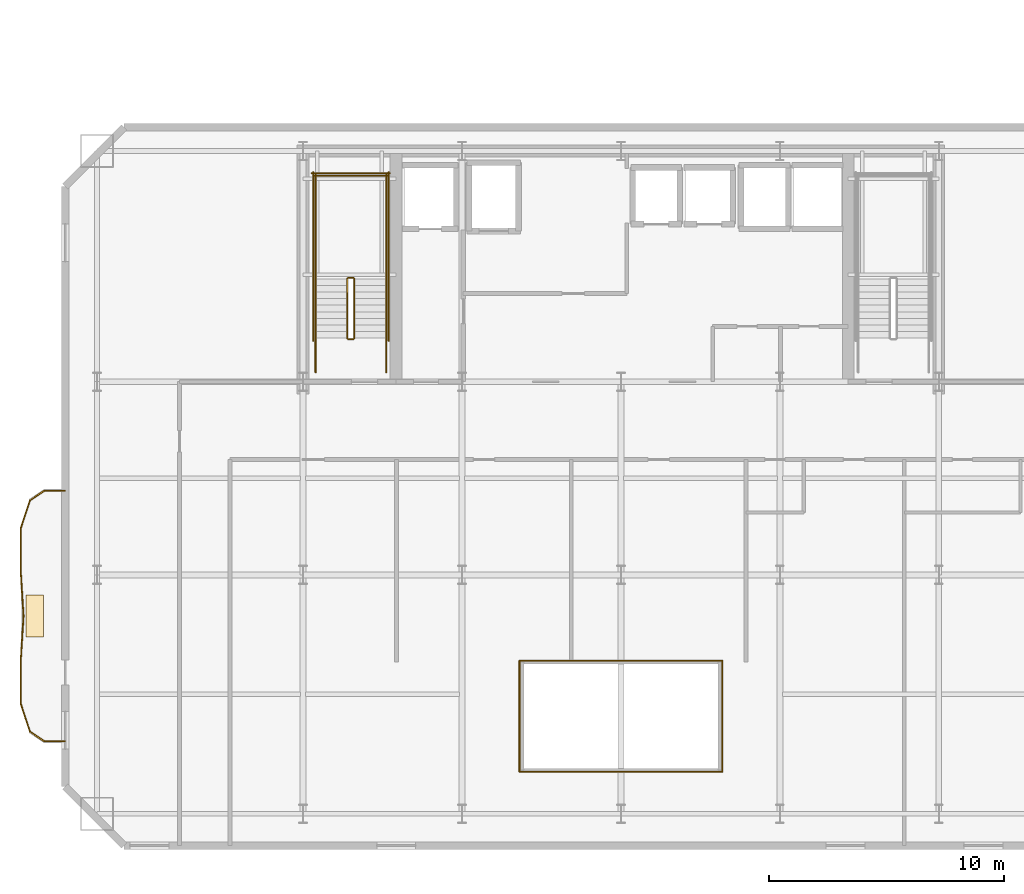
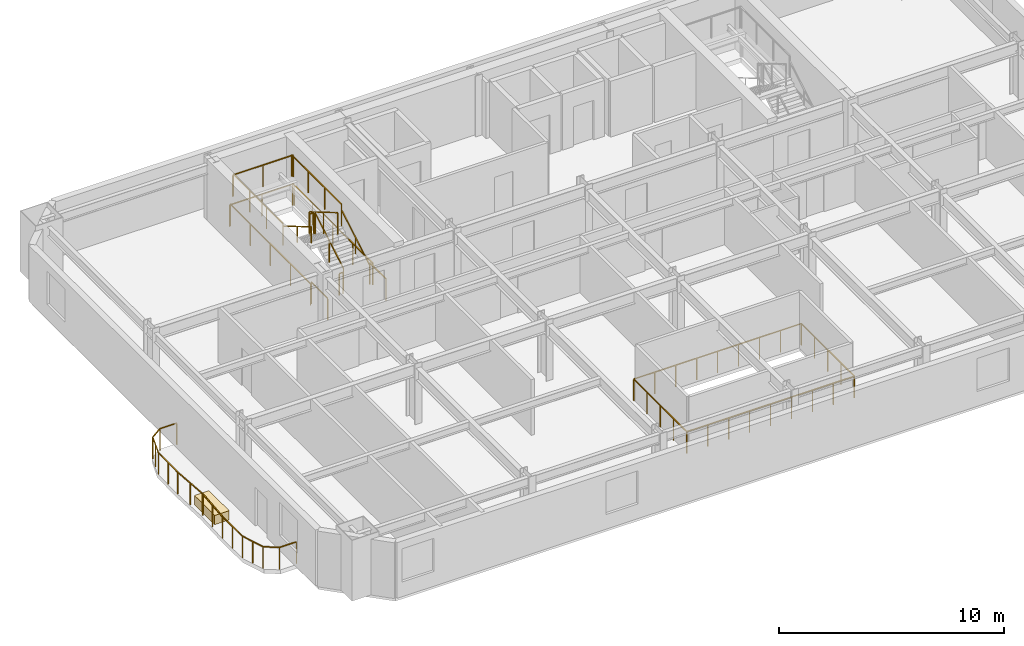
# One storey, part 10 of 13: 28 railings, 1 covering.
"""IFC4 building model written with IfcOpenShell, lengths in metres."""

from ifc_helpers import new_model, si_unit, direction, frame, origin, origin_2d, place, context, subcontext, project, spatial, rectangle, extrude, material, layer, layer_set, type_object, element, save


model = new_model("IFC4")

# Units and contexts
model_context = context("Model", 3, precision=1e-05, world=origin(), true_north=direction((0.0, 1.0)))
body_context = subcontext(model_context, "Body", "Model", "MODEL_VIEW")
ifc_project = project(units=[si_unit("LENGTHUNIT", "METRE"), si_unit("AREAUNIT", "SQUARE_METRE"), si_unit("VOLUMEUNIT", "CUBIC_METRE"), si_unit("PLANEANGLEUNIT", "RADIAN"), si_unit("MASSUNIT", "GRAM", prefix="KILO")], contexts=[model_context])

# Site, building, storey
site_placement = place(None, origin())
site = spatial("IfcSite", under=ifc_project, at=site_placement, CompositionType="ELEMENT")
building_placement = place(site_placement, origin())
building = spatial("IfcBuilding", under=site, at=building_placement, Name="Haevon Station Towers", CompositionType="ELEMENT")
storey_placement = place(building_placement, frame((0.0, 0.0, 99.89990234375)))
storey = spatial("IfcBuildingStorey", under=building, at=storey_placement, Name="L26", CompositionType="ELEMENT", Elevation=99.89990234375)

# Railings
ifc_material_1 = material(Name="Steel S355", Category="steel")
railing_type_1 = type_object("IfcRailingType", Name="BAL-ATR1200", PredefinedType="BALUSTRADE", material=ifc_material_1)
railing_1_placement = place(storey_placement, frame((33.19482421875, 21.642333984375, 0.0)))
element("IfcRailing", 1, at=railing_1_placement, inside=storey, type_object=railing_type_1, Name="L26 Atrium Void Balustrade 1", PredefinedType="BALUSTRADE", context=body_context, shape_type="SweptSolid", body=[
    extrude(rectangle(XDim=0.048095703125, YDim=0.048095703125, at=origin_2d()), frame((0.0, 0.0, 1.17578125), z_axis=(1.0, 0.0, 0.0), x_axis=(0.0, 1.0, 0.0)), (0.0, 0.0, 1.0), 8.6103515625),
    extrude(rectangle(XDim=0.0419921875, YDim=0.0419921875, at=origin_2d()), origin(), (0.0, 0.0, 1.0), 1.15185546875),
    extrude(rectangle(XDim=0.0419921875, YDim=0.0419921875, at=origin_2d()), frame((1.076171875, 0.0, 0.0)), (0.0, 0.0, 1.0), 1.15185546875),
    extrude(rectangle(XDim=0.0419921875, YDim=0.0419921875, at=origin_2d()), frame((2.152587890625, 0.0, 0.0)), (0.0, 0.0, 1.0), 1.15185546875),
    extrude(rectangle(XDim=0.0419921875, YDim=0.0419921875, at=origin_2d()), frame((3.22900390625, 0.0, 0.0)), (0.0, 0.0, 1.0), 1.15185546875),
    extrude(rectangle(XDim=0.0419921875, YDim=0.0419921875, at=origin_2d()), frame((4.30517578125, 0.0, 0.0)), (0.0, 0.0, 1.0), 1.15185546875),
    extrude(rectangle(XDim=0.0419921875, YDim=0.0419921875, at=origin_2d()), frame((5.38134765625, 0.0, 0.0)), (0.0, 0.0, 1.0), 1.15185546875),
    extrude(rectangle(XDim=0.0419921875, YDim=0.0419921875, at=origin_2d()), frame((6.457763671875, 0.0, 0.0)), (0.0, 0.0, 1.0), 1.15185546875),
    extrude(rectangle(XDim=0.0419921875, YDim=0.0419921875, at=origin_2d()), frame((7.5341796875, 0.0, 0.0)), (0.0, 0.0, 1.0), 1.15185546875),
    extrude(rectangle(XDim=0.0419921875, YDim=0.0419921875, at=origin_2d()), frame((8.6103515625, 0.0, 0.0)), (0.0, 0.0, 1.0), 1.15185546875),
])
railing_2_placement = place(storey_placement, frame((41.80517578125, 21.642333984375, 0.0)))
element("IfcRailing", 2, at=railing_2_placement, inside=storey, type_object=railing_type_1, Name="L26 Atrium Void Balustrade 2", PredefinedType="BALUSTRADE", context=body_context, shape_type="SweptSolid", body=[
    extrude(rectangle(XDim=0.048095703125, YDim=0.048095703125, at=origin_2d()), frame((0.0, 0.0, 1.17578125), z_axis=(0.0, 1.0, 0.0), x_axis=(-1.0, 0.0, 0.0)), (0.0, 0.0, 1.0), 4.71533203125),
    extrude(rectangle(XDim=0.0419921875, YDim=0.0419921875, at=origin_2d()), origin(), (0.0, 0.0, 1.0), 1.15185546875),
    extrude(rectangle(XDim=0.0419921875, YDim=0.0419921875, at=origin_2d()), frame((0.0, 1.1787109375, 0.0)), (0.0, 0.0, 1.0), 1.15185546875),
    extrude(rectangle(XDim=0.0419921875, YDim=0.0419921875, at=origin_2d()), frame((0.0, 2.357666015625, 0.0)), (0.0, 0.0, 1.0), 1.15185546875),
    extrude(rectangle(XDim=0.0419921875, YDim=0.0419921875, at=origin_2d()), frame((0.0, 3.53662109375, 0.0)), (0.0, 0.0, 1.0), 1.15185546875),
    extrude(rectangle(XDim=0.0419921875, YDim=0.0419921875, at=origin_2d()), frame((0.0, 4.71533203125, 0.0)), (0.0, 0.0, 1.0), 1.15185546875),
])
railing_3_placement = place(storey_placement, frame((41.80517578125, 26.357666015625, 0.0)))
element("IfcRailing", 3, at=railing_3_placement, inside=storey, type_object=railing_type_1, Name="L26 Atrium Void Balustrade 3", PredefinedType="BALUSTRADE", context=body_context, shape_type="SweptSolid", body=[
    extrude(rectangle(XDim=0.048095703125, YDim=0.048095703125, at=origin_2d()), frame((0.0, 0.0, 1.17578125), z_axis=(-1.0, 0.0, 0.0), x_axis=(0.0, -1.0, 0.0)), (0.0, 0.0, 1.0), 8.6103515625),
    extrude(rectangle(XDim=0.0419921875, YDim=0.0419921875, at=origin_2d()), origin(), (0.0, 0.0, 1.0), 1.15185546875),
    extrude(rectangle(XDim=0.0419921875, YDim=0.0419921875, at=origin_2d()), frame((-1.076171875, 0.0, 0.0)), (0.0, 0.0, 1.0), 1.15185546875),
    extrude(rectangle(XDim=0.0419921875, YDim=0.0419921875, at=origin_2d()), frame((-2.152587890625, 0.0, 0.0)), (0.0, 0.0, 1.0), 1.15185546875),
    extrude(rectangle(XDim=0.0419921875, YDim=0.0419921875, at=origin_2d()), frame((-3.22900390625, 0.0, 0.0)), (0.0, 0.0, 1.0), 1.15185546875),
    extrude(rectangle(XDim=0.0419921875, YDim=0.0419921875, at=origin_2d()), frame((-4.30517578125, 0.0, 0.0)), (0.0, 0.0, 1.0), 1.15185546875),
    extrude(rectangle(XDim=0.0419921875, YDim=0.0419921875, at=origin_2d()), frame((-5.38134765625, 0.0, 0.0)), (0.0, 0.0, 1.0), 1.15185546875),
    extrude(rectangle(XDim=0.0419921875, YDim=0.0419921875, at=origin_2d()), frame((-6.457763671875, 0.0, 0.0)), (0.0, 0.0, 1.0), 1.15185546875),
    extrude(rectangle(XDim=0.0419921875, YDim=0.0419921875, at=origin_2d()), frame((-7.5341796875, 0.0, 0.0)), (0.0, 0.0, 1.0), 1.15185546875),
    extrude(rectangle(XDim=0.0419921875, YDim=0.0419921875, at=origin_2d()), frame((-8.6103515625, 0.0, 0.0)), (0.0, 0.0, 1.0), 1.15185546875),
])
railing_4_placement = place(storey_placement, frame((33.19482421875, 26.357666015625, 0.0)))
element("IfcRailing", 4, at=railing_4_placement, inside=storey, type_object=railing_type_1, Name="L26 Atrium Void Balustrade 4", PredefinedType="BALUSTRADE", context=body_context, shape_type="SweptSolid", body=[
    extrude(rectangle(XDim=0.048095703125, YDim=0.048095703125, at=origin_2d()), frame((0.0, 0.0, 1.17578125), z_axis=(0.0, -1.0, 0.0), x_axis=(1.0, 0.0, 0.0)), (0.0, 0.0, 1.0), 4.71533203125),
    extrude(rectangle(XDim=0.0419921875, YDim=0.0419921875, at=origin_2d()), origin(), (0.0, 0.0, 1.0), 1.15185546875),
    extrude(rectangle(XDim=0.0419921875, YDim=0.0419921875, at=origin_2d()), frame((0.0, -1.1787109375, 0.0)), (0.0, 0.0, 1.0), 1.15185546875),
    extrude(rectangle(XDim=0.0419921875, YDim=0.0419921875, at=origin_2d()), frame((0.0, -2.357666015625, 0.0)), (0.0, 0.0, 1.0), 1.15185546875),
    extrude(rectangle(XDim=0.0419921875, YDim=0.0419921875, at=origin_2d()), frame((0.0, -3.53662109375, 0.0)), (0.0, 0.0, 1.0), 1.15185546875),
    extrude(rectangle(XDim=0.0419921875, YDim=0.0419921875, at=origin_2d()), frame((0.0, -4.71533203125, 0.0)), (0.0, 0.0, 1.0), 1.15185546875),
])
railing_type_2 = type_object("IfcRailingType", Name="GRD-EXT1200", PredefinedType="GUARDRAIL", material=ifc_material_1)
railing_5_placement = place(storey_placement, frame((13.87646484375, 33.572265625, 0.0)))
element("IfcRailing", 5, at=railing_5_placement, inside=storey, type_object=railing_type_2, Name="L26 Perimeter Guardrail 1", PredefinedType="GUARDRAIL", context=body_context, shape_type="SweptSolid", body=[
    extrude(rectangle(XDim=0.048095703125, YDim=0.048095703125, at=origin_2d()), frame((0.0, 0.0, 1.17578125), z_axis=(-0.99999747791, -0.002245923589, 0.0), x_axis=(0.002245923589, -0.99999747791, 0.0)), (0.0, 0.0, 1.0), 0.86962890625),
    extrude(rectangle(XDim=0.0419921875, YDim=0.0419921875, at=origin_2d()), origin(), (0.0, 0.0, 1.0), 1.15185546875),
    extrude(rectangle(XDim=0.0419921875, YDim=0.0419921875, at=origin_2d()), frame((-0.86962890625, -0.001953125, 0.0)), (0.0, 0.0, 1.0), 1.15185546875),
])
railing_6_placement = place(storey_placement, frame((13.0068359375, 33.5703125, 0.0)))
element("IfcRailing", 6, at=railing_6_placement, inside=storey, type_object=railing_type_2, Name="L26 Perimeter Guardrail 2", PredefinedType="GUARDRAIL", context=body_context, shape_type="SweptSolid", body=[
    extrude(rectangle(XDim=0.048095703125, YDim=0.048095703125, at=origin_2d()), frame((0.0, 0.0, 1.17578125), z_axis=(-0.827878799477, -0.56090702739, 0.0), x_axis=(0.56090702739, -0.827878799477, 0.0)), (0.0, 0.0, 1.0), 0.7333984375),
    extrude(rectangle(XDim=0.0419921875, YDim=0.0419921875, at=origin_2d()), origin(), (0.0, 0.0, 1.0), 1.15185546875),
    extrude(rectangle(XDim=0.0419921875, YDim=0.0419921875, at=origin_2d()), frame((-0.607177734375, -0.411376953125, 0.0)), (0.0, 0.0, 1.0), 1.15185546875),
])
railing_7_placement = place(storey_placement, frame((12.399658203125, 33.158935546875, 0.0)))
element("IfcRailing", 7, at=railing_7_placement, inside=storey, type_object=railing_type_2, Name="L26 Perimeter Guardrail 3", PredefinedType="GUARDRAIL", context=body_context, shape_type="SweptSolid", body=[
    extrude(rectangle(XDim=0.048095703125, YDim=0.048095703125, at=origin_2d()), frame((0.0, 0.0, 1.17578125), z_axis=(-0.312299013333, -0.949983855795, 0.0), x_axis=(0.949983855795, -0.312299013333, 0.0)), (0.0, 0.0, 1.0), 1.231201171875),
    extrude(rectangle(XDim=0.0419921875, YDim=0.0419921875, at=origin_2d()), origin(), (0.0, 0.0, 1.0), 1.15185546875),
    extrude(rectangle(XDim=0.0419921875, YDim=0.0419921875, at=origin_2d()), frame((-0.1923828125, -0.5849609375, 0.0)), (0.0, 0.0, 1.0), 1.15185546875),
    extrude(rectangle(XDim=0.0419921875, YDim=0.0419921875, at=origin_2d()), frame((-0.384521484375, -1.169677734375, 0.0)), (0.0, 0.0, 1.0), 1.15185546875),
])
railing_8_placement = place(storey_placement, frame((12.01513671875, 31.9892578125, 0.0)))
element("IfcRailing", 8, at=railing_8_placement, inside=storey, type_object=railing_type_2, Name="L26 Perimeter Guardrail 4", PredefinedType="GUARDRAIL", context=body_context, shape_type="SweptSolid", body=[
    extrude(rectangle(XDim=0.048095703125, YDim=0.048095703125, at=origin_2d()), frame((0.0, 0.0, 1.17578125), z_axis=(-0.006559523914, -0.999978486092, 0.0), x_axis=(0.999978486092, -0.006559523914, 0.0)), (0.0, 0.0, 1.0), 1.749267578125),
    extrude(rectangle(XDim=0.0419921875, YDim=0.0419921875, at=origin_2d()), origin(), (0.0, 0.0, 1.0), 1.15185546875),
    extrude(rectangle(XDim=0.0419921875, YDim=0.0419921875, at=origin_2d()), frame((-0.005859375, -0.87451171875, 0.0)), (0.0, 0.0, 1.0), 1.15185546875),
    extrude(rectangle(XDim=0.0419921875, YDim=0.0419921875, at=origin_2d()), frame((-0.011474609375, -1.749267578125, 0.0)), (0.0, 0.0, 1.0), 1.15185546875),
])
railing_9_placement = place(storey_placement, frame((12.003662109375, 30.239990234375, 0.0)))
element("IfcRailing", 9, at=railing_9_placement, inside=storey, type_object=railing_type_2, Name="L26 Perimeter Guardrail 5", PredefinedType="GUARDRAIL", context=body_context, shape_type="SweptSolid", body=[
    extrude(rectangle(XDim=0.048095703125, YDim=0.048095703125, at=origin_2d()), frame((0.0, 0.0, 1.17578125), z_axis=(0.06269082246, -0.998032995837, 0.0), x_axis=(0.998032995837, 0.06269082246, 0.0)), (0.0, 0.0, 1.0), 1.993896484375),
    extrude(rectangle(XDim=0.0419921875, YDim=0.0419921875, at=origin_2d()), origin(), (0.0, 0.0, 1.0), 1.15185546875),
    extrude(rectangle(XDim=0.0419921875, YDim=0.0419921875, at=origin_2d()), frame((0.0625, -0.9951171875, 0.0)), (0.0, 0.0, 1.0), 1.15185546875),
    extrude(rectangle(XDim=0.0419921875, YDim=0.0419921875, at=origin_2d()), frame((0.125, -1.989990234375, 0.0)), (0.0, 0.0, 1.0), 1.15185546875),
])
railing_10_placement = place(storey_placement, frame((12.128662109375, 28.25, 0.0)))
element("IfcRailing", 10, at=railing_10_placement, inside=storey, type_object=railing_type_2, Name="L26 Perimeter Guardrail 6", PredefinedType="GUARDRAIL", context=body_context, shape_type="SweptSolid", body=[
    extrude(rectangle(XDim=0.048095703125, YDim=0.048095703125, at=origin_2d()), frame((0.0, 0.0, 1.17578125), z_axis=(-0.06269082246, -0.998032995837, 0.0), x_axis=(0.998032995837, -0.06269082246, 0.0)), (0.0, 0.0, 1.0), 1.993896484375),
    extrude(rectangle(XDim=0.0419921875, YDim=0.0419921875, at=origin_2d()), origin(), (0.0, 0.0, 1.0), 1.15185546875),
    extrude(rectangle(XDim=0.0419921875, YDim=0.0419921875, at=origin_2d()), frame((-0.0625, -0.9951171875, 0.0)), (0.0, 0.0, 1.0), 1.15185546875),
    extrude(rectangle(XDim=0.0419921875, YDim=0.0419921875, at=origin_2d()), frame((-0.125, -1.989990234375, 0.0)), (0.0, 0.0, 1.0), 1.15185546875),
])
railing_11_placement = place(storey_placement, frame((12.003662109375, 26.260009765625, 0.0)))
element("IfcRailing", 11, at=railing_11_placement, inside=storey, type_object=railing_type_2, Name="L26 Perimeter Guardrail 7", PredefinedType="GUARDRAIL", context=body_context, shape_type="SweptSolid", body=[
    extrude(rectangle(XDim=0.048095703125, YDim=0.048095703125, at=origin_2d()), frame((0.0, 0.0, 1.17578125), z_axis=(0.006559523914, -0.999978486092, 0.0), x_axis=(0.999978486092, 0.006559523914, 0.0)), (0.0, 0.0, 1.0), 1.749267578125),
    extrude(rectangle(XDim=0.0419921875, YDim=0.0419921875, at=origin_2d()), origin(), (0.0, 0.0, 1.0), 1.15185546875),
    extrude(rectangle(XDim=0.0419921875, YDim=0.0419921875, at=origin_2d()), frame((0.005859375, -0.87451171875, 0.0)), (0.0, 0.0, 1.0), 1.15185546875),
    extrude(rectangle(XDim=0.0419921875, YDim=0.0419921875, at=origin_2d()), frame((0.011474609375, -1.749267578125, 0.0)), (0.0, 0.0, 1.0), 1.15185546875),
])
railing_12_placement = place(storey_placement, frame((12.01513671875, 24.5107421875, 0.0)))
element("IfcRailing", 12, at=railing_12_placement, inside=storey, type_object=railing_type_2, Name="L26 Perimeter Guardrail 8", PredefinedType="GUARDRAIL", context=body_context, shape_type="SweptSolid", body=[
    extrude(rectangle(XDim=0.048095703125, YDim=0.048095703125, at=origin_2d()), frame((0.0, 0.0, 1.17578125), z_axis=(0.312299013333, -0.949983855795, 0.0), x_axis=(0.949983855795, 0.312299013333, 0.0)), (0.0, 0.0, 1.0), 1.231201171875),
    extrude(rectangle(XDim=0.0419921875, YDim=0.0419921875, at=origin_2d()), origin(), (0.0, 0.0, 1.0), 1.15185546875),
    extrude(rectangle(XDim=0.0419921875, YDim=0.0419921875, at=origin_2d()), frame((0.1923828125, -0.5849609375, 0.0)), (0.0, 0.0, 1.0), 1.15185546875),
    extrude(rectangle(XDim=0.0419921875, YDim=0.0419921875, at=origin_2d()), frame((0.384521484375, -1.169677734375, 0.0)), (0.0, 0.0, 1.0), 1.15185546875),
])
railing_13_placement = place(storey_placement, frame((12.399658203125, 23.341064453125, 0.0)))
element("IfcRailing", 13, at=railing_13_placement, inside=storey, type_object=railing_type_2, Name="L26 Perimeter Guardrail 9", PredefinedType="GUARDRAIL", context=body_context, shape_type="SweptSolid", body=[
    extrude(rectangle(XDim=0.048095703125, YDim=0.048095703125, at=origin_2d()), frame((0.0, 0.0, 1.17578125), z_axis=(0.827878799477, -0.56090702739, 0.0), x_axis=(0.56090702739, 0.827878799477, 0.0)), (0.0, 0.0, 1.0), 0.7333984375),
    extrude(rectangle(XDim=0.0419921875, YDim=0.0419921875, at=origin_2d()), origin(), (0.0, 0.0, 1.0), 1.15185546875),
    extrude(rectangle(XDim=0.0419921875, YDim=0.0419921875, at=origin_2d()), frame((0.607177734375, -0.411376953125, 0.0)), (0.0, 0.0, 1.0), 1.15185546875),
])
railing_14_placement = place(storey_placement, frame((13.0068359375, 22.9296875, 0.0)))
element("IfcRailing", 14, at=railing_14_placement, inside=storey, type_object=railing_type_2, Name="L26 Perimeter Guardrail 10", PredefinedType="GUARDRAIL", context=body_context, shape_type="SweptSolid", body=[
    extrude(rectangle(XDim=0.048095703125, YDim=0.048095703125, at=origin_2d()), frame((0.0, 0.0, 1.17578125), z_axis=(0.99999747791, -0.002245923589, 0.0), x_axis=(0.002245923589, 0.99999747791, 0.0)), (0.0, 0.0, 1.0), 0.86962890625),
    extrude(rectangle(XDim=0.0419921875, YDim=0.0419921875, at=origin_2d()), origin(), (0.0, 0.0, 1.0), 1.15185546875),
    extrude(rectangle(XDim=0.0419921875, YDim=0.0419921875, at=origin_2d()), frame((0.86962890625, -0.001953125, 0.0)), (0.0, 0.0, 1.0), 1.15185546875),
])
railing_type_3 = type_object("IfcRailingType", Name="GRD-STR1200", PredefinedType="GUARDRAIL", material=ifc_material_1)
railing_15_placement = place(storey_placement, frame((26.179931640625, 40.050048828125, 0.1650390625)))
element("IfcRailing", 15, at=railing_15_placement, inside=storey, type_object=railing_type_3, Name="L26 ST1 Stair Guard 1", PredefinedType="GUARDRAIL", context=body_context, shape_type="SweptSolid", body=[
    extrude(rectangle(XDim=0.048095703125, YDim=0.048095703125, at=origin_2d()), frame((0.0, 0.0, 1.17578125), z_axis=(0.0, 0.86152411907, 0.507716645641), x_axis=(-1.0, 0.0, 0.0)), (0.0, 0.0, 1.0), 2.925048828125),
    extrude(rectangle(XDim=0.0419921875, YDim=0.0419921875, at=origin_2d()), origin(), (0.0, 0.0, 1.0), 1.15185546875),
    extrude(rectangle(XDim=0.0419921875, YDim=0.0419921875, at=origin_2d()), frame((0.0, 1.260009765625, 0.74267578125)), (0.0, 0.0, 1.0), 1.15185546875),
    extrude(rectangle(XDim=0.0419921875, YDim=0.0419921875, at=origin_2d()), frame((0.0, 2.52001953125, 1.485107421875)), (0.0, 0.0, 1.0), 1.15185546875),
])
railing_16_placement = place(storey_placement, frame((26.1298828125, 42.6201171875, 1.650146484375)))
element("IfcRailing", 16, at=railing_16_placement, inside=storey, type_object=railing_type_3, Name="L26 ST1 Stair Guard 2", PredefinedType="GUARDRAIL", context=body_context, shape_type="SweptSolid", body=[
    extrude(rectangle(XDim=0.048095703125, YDim=0.048095703125, at=origin_2d()), frame((0.0, 0.0, 1.17578125), z_axis=(-1.0, 0.0, 0.0), x_axis=(0.0, -1.0, 0.0)), (0.0, 0.0, 1.0), 0.199951171875),
    extrude(rectangle(XDim=0.0419921875, YDim=0.0419921875, at=origin_2d()), origin(), (0.0, 0.0, 1.0), 1.15185546875),
    extrude(rectangle(XDim=0.0419921875, YDim=0.0419921875, at=origin_2d()), frame((-0.199951171875, 0.0, 0.0)), (0.0, 0.0, 1.0), 1.15185546875),
])
for number, where, name in (
    (17, (27.530029296875, 42.570068359375, 1.650146484375), "L26 ST1 Stair Guard 3"),
    (18, (24.530029296875, 42.570068359375, 1.650146484375), "L26 ST1 Stair Guard 4"),
):
    element("IfcRailing", number, at=place(storey_placement, frame(where)), inside=storey, type_object=railing_type_3, Name=name, PredefinedType="GUARDRAIL", context=body_context, shape_type="SweptSolid", body=[
        extrude(rectangle(XDim=0.048095703125, YDim=0.048095703125, at=origin_2d()), frame((0.0, 0.0, 1.17578125), z_axis=(0.0, 1.0, 0.0), x_axis=(-1.0, 0.0, 0.0)), (0.0, 0.0, 1.0), 4.429931640625),
        extrude(rectangle(XDim=0.0419921875, YDim=0.0419921875, at=origin_2d()), origin(), (0.0, 0.0, 1.0), 1.15185546875),
        extrude(rectangle(XDim=0.0419921875, YDim=0.0419921875, at=origin_2d()), frame((0.0, 1.4765625, 0.0)), (0.0, 0.0, 1.0), 1.15185546875),
        extrude(rectangle(XDim=0.0419921875, YDim=0.0419921875, at=origin_2d()), frame((0.0, 2.953369140625, 0.0)), (0.0, 0.0, 1.0), 1.15185546875),
        extrude(rectangle(XDim=0.0419921875, YDim=0.0419921875, at=origin_2d()), frame((0.0, 4.429931640625, 0.0)), (0.0, 0.0, 1.0), 1.15185546875),
    ])
railing_17_placement = place(storey_placement, frame((27.580078125, 46.949951171875, 1.650146484375)))
element("IfcRailing", 19, at=railing_17_placement, inside=storey, type_object=railing_type_3, Name="L26 ST1 Stair Guard 5", PredefinedType="GUARDRAIL", context=body_context, shape_type="SweptSolid", body=[
    extrude(rectangle(XDim=0.048095703125, YDim=0.048095703125, at=origin_2d()), frame((0.0, 0.0, 1.17578125), z_axis=(-1.0, 0.0, 0.0), x_axis=(0.0, -1.0, 0.0)), (0.0, 0.0, 1.0), 3.10009765625),
    extrude(rectangle(XDim=0.0419921875, YDim=0.0419921875, at=origin_2d()), origin(), (0.0, 0.0, 1.0), 1.15185546875),
    extrude(rectangle(XDim=0.0419921875, YDim=0.0419921875, at=origin_2d()), frame((-1.550048828125, 0.0, 0.0)), (0.0, 0.0, 1.0), 1.15185546875),
    extrude(rectangle(XDim=0.0419921875, YDim=0.0419921875, at=origin_2d()), frame((-3.10009765625, 0.0, 0.0)), (0.0, 0.0, 1.0), 1.15185546875),
])
railing_18_placement = place(storey_placement, frame((25.8798828125, 42.570068359375, 1.815185546875)))
element("IfcRailing", 20, at=railing_18_placement, inside=storey, type_object=railing_type_3, Name="L26 ST1 Stair Guard 6", PredefinedType="GUARDRAIL", context=body_context, shape_type="SweptSolid", body=[
    extrude(rectangle(XDim=0.048095703125, YDim=0.048095703125, at=origin_2d()), frame((0.0, 0.0, 1.17578125), z_axis=(0.0, -0.861560626758, 0.507654692109), x_axis=(1.0, 0.0, 0.0)), (0.0, 0.0, 1.0), 2.925048828125),
    extrude(rectangle(XDim=0.0419921875, YDim=0.0419921875, at=origin_2d()), origin(), (0.0, 0.0, 1.0), 1.15185546875),
    extrude(rectangle(XDim=0.0419921875, YDim=0.0419921875, at=origin_2d()), frame((0.0, -1.260009765625, 0.742431640625)), (0.0, 0.0, 1.0), 1.15185546875),
    extrude(rectangle(XDim=0.0419921875, YDim=0.0419921875, at=origin_2d()), frame((0.0, -2.52001953125, 1.48486328125)), (0.0, 0.0, 1.0), 1.15185546875),
])
railing_19_placement = place(storey_placement, frame((26.1298828125, 40.0, 0.0)))
element("IfcRailing", 21, at=railing_19_placement, inside=storey, type_object=railing_type_3, Name="L26 ST1 Stair Guard 7", PredefinedType="GUARDRAIL", context=body_context, shape_type="SweptSolid", body=[
    extrude(rectangle(XDim=0.048095703125, YDim=0.048095703125, at=origin_2d()), frame((0.0, 0.0, 1.17578125), z_axis=(-1.0, 0.0, 0.0), x_axis=(0.0, -1.0, 0.0)), (0.0, 0.0, 1.0), 0.199951171875),
    extrude(rectangle(XDim=0.0419921875, YDim=0.0419921875, at=origin_2d()), origin(), (0.0, 0.0, 1.0), 1.15185546875),
    extrude(rectangle(XDim=0.0419921875, YDim=0.0419921875, at=origin_2d()), frame((-0.199951171875, 0.0, 0.0)), (0.0, 0.0, 1.0), 1.15185546875),
])
for number, where, name in (
    (22, (27.530029296875, 38.60009765625, 0.0), "L26 ST1 Stair Guard 8"),
    (23, (24.530029296875, 38.60009765625, 0.0), "L26 ST1 Stair Guard 9"),
):
    element("IfcRailing", number, at=place(storey_placement, frame(where)), inside=storey, type_object=railing_type_3, Name=name, PredefinedType="GUARDRAIL", context=body_context, shape_type="SweptSolid", body=[
        extrude(rectangle(XDim=0.048095703125, YDim=0.048095703125, at=origin_2d()), frame((0.0, 0.0, 1.17578125), z_axis=(0.0, 1.0, 0.0), x_axis=(-1.0, 0.0, 0.0)), (0.0, 0.0, 1.0), 1.449951171875),
        extrude(rectangle(XDim=0.0419921875, YDim=0.0419921875, at=origin_2d()), origin(), (0.0, 0.0, 1.0), 1.15185546875),
        extrude(rectangle(XDim=0.0419921875, YDim=0.0419921875, at=origin_2d()), frame((0.0, 1.449951171875, 0.0)), (0.0, 0.0, 1.0), 1.15185546875),
    ])
for number, where, name in (
    (24, (27.6298828125, 39.949951171875, 0.0), "L26 ST1 Stair Guard 10"),
    (25, (24.429931640625, 39.949951171875, 0.0), "L26 ST1 Stair Guard 11"),
):
    element("IfcRailing", number, at=place(storey_placement, frame(where)), inside=storey, type_object=railing_type_3, Name=name, PredefinedType="GUARDRAIL", context=body_context, shape_type="SweptSolid", body=[
        extrude(rectangle(XDim=0.048095703125, YDim=0.048095703125, at=origin_2d()), frame((0.0, 0.0, 1.17578125), z_axis=(0.0, 1.0, 0.0), x_axis=(-1.0, 0.0, 0.0)), (0.0, 0.0, 1.0), 7.150146484375),
        extrude(rectangle(XDim=0.0419921875, YDim=0.0419921875, at=origin_2d()), origin(), (0.0, 0.0, 1.0), 1.15185546875),
        extrude(rectangle(XDim=0.0419921875, YDim=0.0419921875, at=origin_2d()), frame((0.0, 1.78759765625, 0.0)), (0.0, 0.0, 1.0), 1.15185546875),
        extrude(rectangle(XDim=0.0419921875, YDim=0.0419921875, at=origin_2d()), frame((0.0, 3.5751953125, 0.0)), (0.0, 0.0, 1.0), 1.15185546875),
        extrude(rectangle(XDim=0.0419921875, YDim=0.0419921875, at=origin_2d()), frame((0.0, 5.362548828125, 0.0)), (0.0, 0.0, 1.0), 1.15185546875),
        extrude(rectangle(XDim=0.0419921875, YDim=0.0419921875, at=origin_2d()), frame((0.0, 7.150146484375, 0.0)), (0.0, 0.0, 1.0), 1.15185546875),
    ])
railing_20_placement = place(storey_placement, frame((27.679931640625, 47.050048828125, 0.0)))
element("IfcRailing", 26, at=railing_20_placement, inside=storey, type_object=railing_type_3, Name="L26 ST1 Stair Guard 12", PredefinedType="GUARDRAIL", context=body_context, shape_type="SweptSolid", body=[
    extrude(rectangle(XDim=0.048095703125, YDim=0.048095703125, at=origin_2d()), frame((0.0, 0.0, 1.17578125), z_axis=(-1.0, 0.0, 0.0), x_axis=(0.0, -1.0, 0.0)), (0.0, 0.0, 1.0), 3.300048828125),
    extrude(rectangle(XDim=0.0419921875, YDim=0.0419921875, at=origin_2d()), origin(), (0.0, 0.0, 1.0), 1.15185546875),
    extrude(rectangle(XDim=0.0419921875, YDim=0.0419921875, at=origin_2d()), frame((-1.64990234375, 0.0, 0.0)), (0.0, 0.0, 1.0), 1.15185546875),
    extrude(rectangle(XDim=0.0419921875, YDim=0.0419921875, at=origin_2d()), frame((-3.300048828125, 0.0, 0.0)), (0.0, 0.0, 1.0), 1.15185546875),
])
railing_type_4 = type_object("IfcRailingType", Name="HND-STR900", PredefinedType="HANDRAIL", material=ifc_material_1)
railing_21_placement = place(storey_placement, frame((27.530029296875, 40.050048828125, 0.1650390625)))
element("IfcRailing", 27, at=railing_21_placement, inside=storey, type_object=railing_type_4, Name="L26 ST1 Stair Handrail 1", PredefinedType="HANDRAIL", context=body_context, shape_type="SweptSolid", body=[
    extrude(rectangle(XDim=0.048095703125, YDim=0.048095703125, at=origin_2d()), frame((0.0, 0.0, 0.8759765625), z_axis=(0.0, 0.86152411907, 0.507716645641), x_axis=(-1.0, 0.0, 0.0)), (0.0, 0.0, 1.0), 2.925048828125),
    extrude(rectangle(XDim=0.0419921875, YDim=0.0419921875, at=origin_2d()), origin(), (0.0, 0.0, 1.0), 0.851806640625),
    extrude(rectangle(XDim=0.0419921875, YDim=0.0419921875, at=origin_2d()), frame((0.0, 1.260009765625, 0.74267578125)), (0.0, 0.0, 1.0), 0.851806640625),
    extrude(rectangle(XDim=0.0419921875, YDim=0.0419921875, at=origin_2d()), frame((0.0, 2.52001953125, 1.485107421875)), (0.0, 0.0, 1.0), 0.851806640625),
])
railing_22_placement = place(storey_placement, frame((24.530029296875, 42.570068359375, 1.815185546875)))
element("IfcRailing", 28, at=railing_22_placement, inside=storey, type_object=railing_type_4, Name="L26 ST1 Stair Handrail 2", PredefinedType="HANDRAIL", context=body_context, shape_type="SweptSolid", body=[
    extrude(rectangle(XDim=0.048095703125, YDim=0.048095703125, at=origin_2d()), frame((0.0, 0.0, 0.8759765625), z_axis=(0.0, -0.861560626758, 0.507654692109), x_axis=(1.0, 0.0, 0.0)), (0.0, 0.0, 1.0), 2.925048828125),
    extrude(rectangle(XDim=0.0419921875, YDim=0.0419921875, at=origin_2d()), origin(), (0.0, 0.0, 1.0), 0.851806640625),
    extrude(rectangle(XDim=0.0419921875, YDim=0.0419921875, at=origin_2d()), frame((0.0, -1.260009765625, 0.742431640625)), (0.0, 0.0, 1.0), 0.851806640625),
    extrude(rectangle(XDim=0.0419921875, YDim=0.0419921875, at=origin_2d()), frame((0.0, -2.52001953125, 1.48486328125)), (0.0, 0.0, 1.0), 0.851806640625),
])

# Covering
ifc_material_2 = material(Name="Architectural planter GRC", Category="concrete")
ifc_layer = layer(ifc_material_2, 0.550048828125)
ifc_layer_set = layer_set([ifc_layer], Name="Architectural planter GRC")
covering_type = type_object("IfcCoveringType", Name="PLN-GRC550", PredefinedType="MOLDING", material=ifc_layer_set)
covering_placement = place(storey_placement, frame((12.602294921875, 28.25, 0.0), z_axis=(0.0, 0.0, 1.0), x_axis=(1.0, 0.0, 0.0)))
element("IfcCovering", 29, at=covering_placement, inside=storey, type_object=covering_type, Name="Tower 1 L26 Scalloped Balcony PLANTER", PredefinedType="MOLDING", context=body_context, shape_type="SweptSolid", body=[
    extrude(rectangle(XDim=0.75, YDim=1.800048828125, at=origin_2d()), origin(), (0.0, 0.0, 1.0), 0.5),
])

save(model, "model.ifc")
